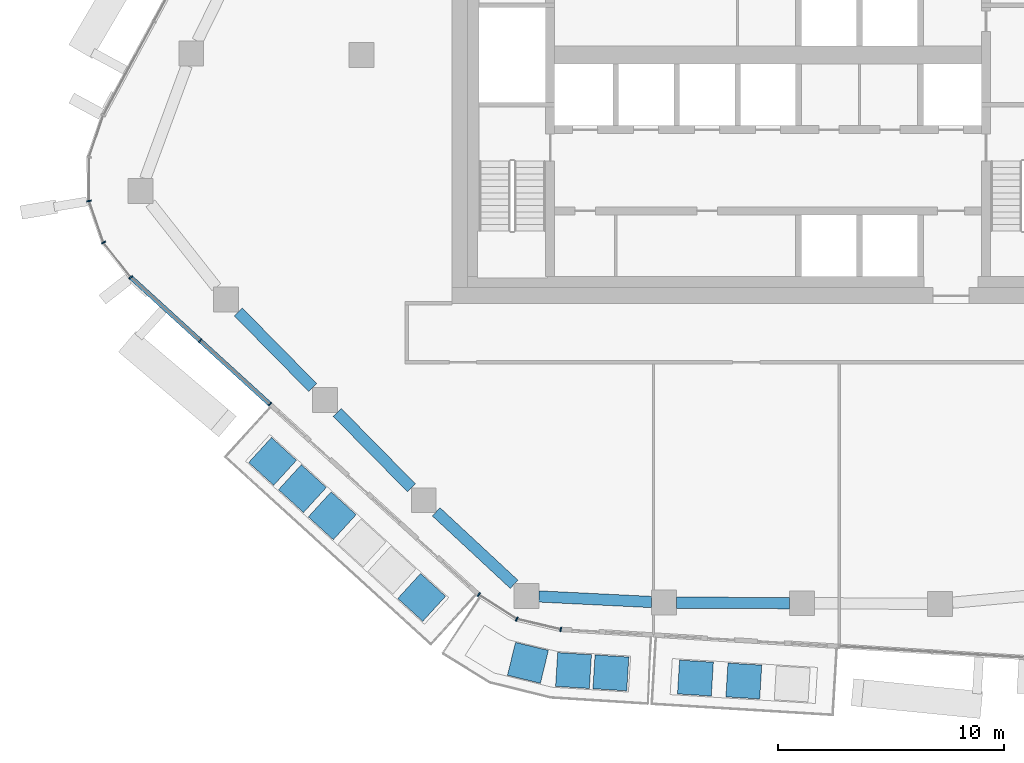
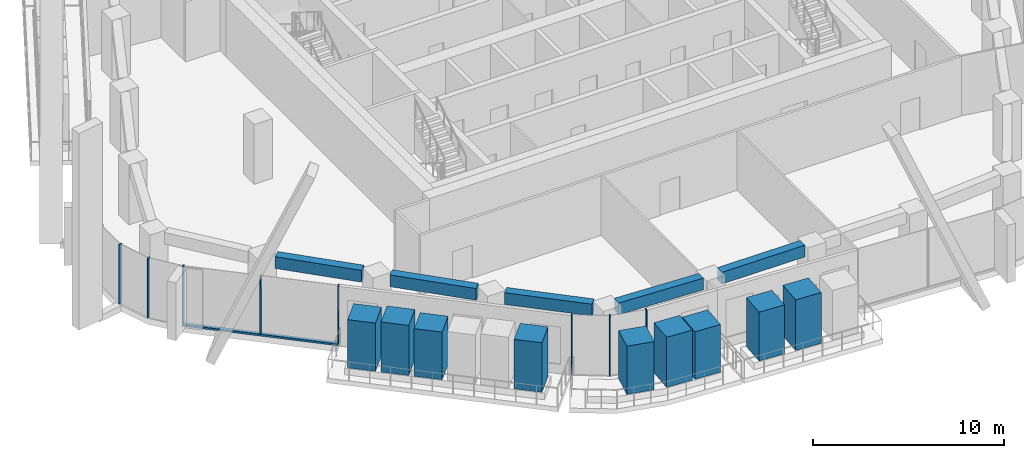
# One storey, part 2 of 20: 18 members, 5 beams, 3 elements without a shape of their own.
"""IFC4 building model written with IfcOpenShell, lengths in metres."""

from ifc_helpers import new_model, si_unit, direction, frame, origin, origin_2d, place, context, subcontext, project, spatial, rectangle, extrude, material, layer, layer_set, material_profile, profile_set, type_object, element, aggregate, save


model = new_model("IFC4")

# Units and contexts
model_context = context("Model", 3, precision=1e-05, world=origin(), true_north=direction((0.0, 1.0)))
body_context = subcontext(model_context, "Body", "Model", "MODEL_VIEW")
ifc_project = project(units=[si_unit("LENGTHUNIT", "METRE"), si_unit("AREAUNIT", "SQUARE_METRE"), si_unit("VOLUMEUNIT", "CUBIC_METRE"), si_unit("PLANEANGLEUNIT", "RADIAN"), si_unit("MASSUNIT", "GRAM", prefix="KILO")], contexts=[model_context])

# Site, building, storey
site_placement = place(None, origin())
site = spatial("IfcSite", under=ifc_project, at=site_placement, CompositionType="ELEMENT")
building_placement = place(site_placement, origin())
building = spatial("IfcBuilding", under=site, at=building_placement, Name="Dongbaek Canopy Tower", CompositionType="ELEMENT")
storey_placement = place(building_placement, frame((0.0, 0.0, 253.800048828125)))
storey = spatial("IfcBuildingStorey", under=building, at=storey_placement, Name="L53", CompositionType="ELEMENT", Elevation=253.800048828125)

# Curtain wall, members
ifc_material_1 = material(Name="Aluminium 6063-T6 pale anodised", Category="aluminium")
ifc_layer = layer(ifc_material_1, 0.199951171875)
ifc_layer_set = layer_set([ifc_layer], Name="CW-1 unitised tower curtain wall")
curtain_wall_type = type_object("IfcCurtainWallType", Name="CW-1 unitised tower curtain wall", PredefinedType="NOTDEFINED", material=ifc_layer_set)
curtain_wall_1_placement = place(storey_placement, origin())
curtain_wall_1 = element("IfcCurtainWall", 1, at=curtain_wall_1_placement, inside=storey, type_object=curtain_wall_type, Name="CW-1 curtain wall K3.1", PredefinedType="NOTDEFINED")
ifc_material_2 = material(Name="Aluminium 6063-T6 pale anodised", Category="aluminium")
ifc_material_profile_1 = material_profile(ifc_material_2, rectangle(XDim=0.199951171875, YDim=0.06005859375, at=origin_2d()), Name="CW-1 mullion 60 x 200")
ifc_profile_set_1 = profile_set([ifc_material_profile_1], Name="Aluminium 6063-T6 pale anodised")
member_type_1 = type_object("IfcMemberType", Name="CW-1 mullion 60 x 200", PredefinedType="MULLION", material=ifc_profile_set_1)
member_1_placement = place(storey_placement, frame((-30.06640625, -6.46337890625, 0.0), z_axis=(0.0, 0.0, 1.0), x_axis=(-0.985908083157, -0.167287930128, 0.0)))
member_1 = element("IfcMember", 2, at=member_1_placement, type_object=member_type_1, Name="CW-1 mullion K3.1.3", PredefinedType="MULLION", context=body_context, shape_type="SweptSolid", body=[
    extrude(rectangle(XDim=0.199951171875, YDim=0.06005859375, at=origin_2d()), origin(), (0.0, 0.0, 1.0), 3.820068359375),
])
member_2_placement = place(storey_placement, frame((-29.42822265625, -8.302978515625, 0.0), z_axis=(0.0, 0.0, 1.0), x_axis=(-0.877719725714, -0.479174376498, 0.0)))
member_2 = element("IfcMember", 3, at=member_2_placement, type_object=member_type_1, Name="CW-1 mullion K3.1.4", PredefinedType="MULLION", context=body_context, shape_type="SweptSolid", body=[
    extrude(rectangle(XDim=0.199951171875, YDim=0.06005859375, at=origin_2d()), origin(), (0.0, 0.0, 1.0), 3.820068359375),
])
member_3_placement = place(storey_placement, frame((-28.220703125, -9.84130859375, 0.0), z_axis=(0.0, 0.0, 1.0), x_axis=(-0.786588619061, -0.61747740393, 0.0)))
member_3 = element("IfcMember", 4, at=member_3_placement, type_object=member_type_1, Name="CW-1 mullion K3.1.5", PredefinedType="MULLION", context=body_context, shape_type="SweptSolid", body=[
    extrude(rectangle(XDim=0.199951171875, YDim=0.06005859375, at=origin_2d()), origin(), (0.0, 0.0, 1.0), 3.820068359375),
])
aggregate(curtain_wall_1, [member_1, member_2, member_3])

curtain_wall_2_placement = place(storey_placement, origin())
curtain_wall_2 = element("IfcCurtainWall", 5, at=curtain_wall_2_placement, inside=storey, type_object=curtain_wall_type, Name="CW-1 curtain wall F3.1", PredefinedType="NOTDEFINED")
member_4_placement = place(storey_placement, frame((-25.142822265625, -12.648681640625, 0.119873046875), z_axis=(0.0, 0.0, 1.0), x_axis=(-0.673879336739, -0.738841417028, 0.0)))
member_4 = element("IfcMember", 6, at=member_4_placement, type_object=member_type_1, Name="CW-1 mullion F3.1.2", PredefinedType="MULLION", context=body_context, shape_type="SweptSolid", body=[
    extrude(rectangle(XDim=0.199951171875, YDim=0.06005859375, at=origin_2d()), origin(), (0.0, 0.0, 1.0), 3.7001953125),
])
member_5_placement = place(storey_placement, frame((-22.058837890625, -15.46142578125, 0.119873046875), z_axis=(0.0, 0.0, 1.0), x_axis=(-0.673879336739, -0.738841417028, 0.0)))
member_5 = element("IfcMember", 7, at=member_5_placement, type_object=member_type_1, Name="CW-1 mullion F3.1.3", PredefinedType="MULLION", context=body_context, shape_type="SweptSolid", body=[
    extrude(rectangle(XDim=0.199951171875, YDim=0.06005859375, at=origin_2d()), origin(), (0.0, 0.0, 1.0), 3.7001953125),
])

curtain_wall_3_placement = place(storey_placement, origin())
curtain_wall_3 = element("IfcCurtainWall", 8, at=curtain_wall_3_placement, inside=storey, type_object=curtain_wall_type, Name="CW-1 curtain wall K4.1", PredefinedType="NOTDEFINED")
member_6_placement = place(storey_placement, frame((-12.81298828125, -23.894287109375, 0.0), z_axis=(0.0, 0.0, 1.0), x_axis=(-0.539447700061, -0.842019108393, 0.0)))
member_6 = element("IfcMember", 9, at=member_6_placement, type_object=member_type_1, Name="CW-1 mullion K4.1.1", PredefinedType="MULLION", context=body_context, shape_type="SweptSolid", body=[
    extrude(rectangle(XDim=0.199951171875, YDim=0.06005859375, at=origin_2d()), origin(), (0.0, 0.0, 1.0), 3.820068359375),
])
member_7_placement = place(storey_placement, frame((-11.12841796875, -24.9736328125, 0.0), z_axis=(0.0, 0.0, 1.0), x_axis=(-0.389524473551, -0.921016115225, 0.0)))
member_7 = element("IfcMember", 10, at=member_7_placement, type_object=member_type_1, Name="CW-1 mullion K4.1.2", PredefinedType="MULLION", context=body_context, shape_type="SweptSolid", body=[
    extrude(rectangle(XDim=0.199951171875, YDim=0.06005859375, at=origin_2d()), origin(), (0.0, 0.0, 1.0), 3.820068359375),
])
member_8_placement = place(storey_placement, frame((-9.1806640625, -25.430419921875, 0.0), z_axis=(0.0, 0.0, 1.0), x_axis=(-0.228415077607, -0.973563840907, 0.0)))
member_8 = element("IfcMember", 11, at=member_8_placement, type_object=member_type_1, Name="CW-1 mullion K4.1.3", PredefinedType="MULLION", context=body_context, shape_type="SweptSolid", body=[
    extrude(rectangle(XDim=0.199951171875, YDim=0.06005859375, at=origin_2d()), origin(), (0.0, 0.0, 1.0), 3.820068359375),
])
aggregate(curtain_wall_3, [member_6, member_7, member_8])

# Member
ifc_material_3 = material(Name="Aluminium 6063-T6 pale anodised", Category="aluminium")
ifc_material_profile_2 = material_profile(ifc_material_3, rectangle(XDim=0.199951171875, YDim=0.1201171875, at=origin_2d()), Name="CW-1 transom 120 x 200")
ifc_profile_set_2 = profile_set([ifc_material_profile_2], Name="Aluminium 6063-T6 pale anodised")
member_type_2 = type_object("IfcMemberType", Name="CW-1 transom 120 x 200", PredefinedType="USERDEFINED", material=ifc_profile_set_2)
member_9_placement = place(storey_placement, frame((-28.220703125, -9.84130859375, 0.06005859375), z_axis=(0.738839664482, -0.673881258226, 0.0), x_axis=(0.673881258226, 0.738839664482, 0.0)))
member_9 = element("IfcMember", 12, at=member_9_placement, type_object=member_type_2, Name="CW-1 transom F3.1.1", ObjectType="TRANSOM", PredefinedType="USERDEFINED", context=body_context, shape_type="SweptSolid", body=[
    extrude(rectangle(XDim=0.199951171875, YDim=0.1201171875, at=origin_2d()), origin(), (0.0, 0.0, 1.0), 8.33984375),
])

aggregate(curtain_wall_2, [member_4, member_5, member_9])

# Beams
ifc_material_4 = material(Name="Concrete C70", Category="concrete")
ifc_material_profile_3 = material_profile(ifc_material_4, rectangle(XDim=0.5, YDim=0.75, at=origin_2d()), Name="RC EDGE BEAM 500x750 C70")
ifc_profile_set_3 = profile_set([ifc_material_profile_3], Name="Concrete C70")
beam_type = type_object("IfcBeamType", Name="RC EDGE BEAM 500x750 C70", PredefinedType="BEAM", material=ifc_profile_set_3)
beam_1_placement = place(storey_placement, frame((0.951904296875, -24.269775390625, 3.445068359375), z_axis=(-0.999990816155, 0.0042857445, 0.0), x_axis=(-0.0042857445, -0.999990816155, 0.0)))
element("IfcBeam", 13, at=beam_1_placement, inside=storey, type_object=beam_type, Name="EDGEBEAM:L53:02", PredefinedType="BEAM", context=body_context, shape_type="SweptSolid", body=[
    extrude(rectangle(XDim=0.5, YDim=0.75, at=origin_2d()), origin(), (0.0, 0.0, 1.0), 5.012939453125),
])
beam_2_placement = place(storey_placement, frame((-5.160888671875, -24.218994140625, 3.445068359375), z_axis=(-0.998786614333, 0.049247325106, 0.0), x_axis=(-0.049247325106, -0.998786614333, 0.0)))
element("IfcBeam", 14, at=beam_2_placement, inside=storey, type_object=beam_type, Name="EDGEBEAM:L53:03", PredefinedType="BEAM", context=body_context, shape_type="SweptSolid", body=[
    extrude(rectangle(XDim=0.5, YDim=0.75, at=origin_2d()), origin(), (0.0, 0.0, 1.0), 4.9921875),
])
beam_3_placement = place(storey_placement, frame((-11.2470703125, -23.434326171875, 3.445068359375), z_axis=(-0.732241423494, 0.681045151014, 0.0), x_axis=(-0.681045151014, -0.732241423494, 0.0)))
element("IfcBeam", 15, at=beam_3_placement, inside=storey, type_object=beam_type, Name="EDGEBEAM:L53:04", PredefinedType="BEAM", context=body_context, shape_type="SweptSolid", body=[
    extrude(rectangle(XDim=0.5, YDim=0.75, at=origin_2d()), origin(), (0.0, 0.0, 1.0), 4.71142578125),
])
beam_4_placement = place(storey_placement, frame((-15.788818359375, -19.1640625, 3.445068359375), z_axis=(-0.701699383964, 0.712473139525, 0.0), x_axis=(-0.712473139525, -0.701699383964, 0.0)))
element("IfcBeam", 16, at=beam_4_placement, inside=storey, type_object=beam_type, Name="EDGEBEAM:L53:05", PredefinedType="BEAM", context=body_context, shape_type="SweptSolid", body=[
    extrude(rectangle(XDim=0.5, YDim=0.75, at=origin_2d()), origin(), (0.0, 0.0, 1.0), 4.690673828125),
])
beam_5_placement = place(storey_placement, frame((-20.16357421875, -14.721923828125, 3.445068359375), z_axis=(-0.701621732034, 0.712549608896, 0.0), x_axis=(-0.712549608896, -0.701621732034, 0.0)))
element("IfcBeam", 17, at=beam_5_placement, inside=storey, type_object=beam_type, Name="EDGEBEAM:L53:06", PredefinedType="BEAM", context=body_context, shape_type="SweptSolid", body=[
    extrude(rectangle(XDim=0.5, YDim=0.75, at=origin_2d()), origin(), (0.0, 0.0, 1.0), 4.691650390625),
])

# Members
ifc_material_5 = material(Name="Concrete C40/50 planter mass with planting", Category="concrete")
ifc_material_profile_4 = material_profile(ifc_material_5, rectangle(XDim=1.5, YDim=1.5, at=origin_2d()), Name="Terrace PLANTER shrub mass 1500 x 1500")
ifc_profile_set_4 = profile_set([ifc_material_profile_4], Name="Concrete C40/50 planter mass with planting")
member_type_3 = type_object("IfcMemberType", Name="Terrace PLANTER shrub mass 1500 x 1500", PredefinedType="USERDEFINED", material=ifc_profile_set_4)
member_10_placement = place(storey_placement, frame((-21.93994140625, -17.99267578125, 0.419921875), z_axis=(0.0, 0.0, 1.0), x_axis=(-0.673879336739, -0.738841417028, 0.0)))
element("IfcMember", 18, at=member_10_placement, inside=storey, type_object=member_type_3, Name="Planter shrubs L53 3.1", ObjectType="PLANTER", PredefinedType="USERDEFINED", context=body_context, shape_type="SweptSolid", body=[
    extrude(rectangle(XDim=1.5, YDim=1.5, at=origin_2d()), origin(), (0.0, 0.0, 1.0), 3.090087890625),
])
member_11_placement = place(storey_placement, frame((-20.61962890625, -19.19677734375, 0.419921875), z_axis=(0.0, 0.0, 1.0), x_axis=(-0.673879336739, -0.738841417028, 0.0)))
element("IfcMember", 19, at=member_11_placement, inside=storey, type_object=member_type_3, Name="Planter shrubs L53 3.2", ObjectType="PLANTER", PredefinedType="USERDEFINED", context=body_context, shape_type="SweptSolid", body=[
    extrude(rectangle(XDim=1.5, YDim=1.5, at=origin_2d()), origin(), (0.0, 0.0, 1.0), 3.2099609375),
])
member_12_placement = place(storey_placement, frame((-19.299072265625, -20.401123046875, 0.419921875), z_axis=(0.0, 0.0, 1.0), x_axis=(-0.673879336739, -0.738841417028, 0.0)))
element("IfcMember", 20, at=member_12_placement, inside=storey, type_object=member_type_3, Name="Planter shrubs L53 3.3", ObjectType="PLANTER", PredefinedType="USERDEFINED", context=body_context, shape_type="SweptSolid", body=[
    extrude(rectangle(XDim=1.5, YDim=1.5, at=origin_2d()), origin(), (0.0, 0.0, 1.0), 3.050048828125),
])
member_13_placement = place(storey_placement, frame((-15.338134765625, -24.013916015625, 0.419921875), z_axis=(0.0, 0.0, 1.0), x_axis=(-0.673879336739, -0.738841417028, 0.0)))
element("IfcMember", 21, at=member_13_placement, inside=storey, type_object=member_type_3, Name="Planter shrubs L53 3.6", ObjectType="PLANTER", PredefinedType="USERDEFINED", context=body_context, shape_type="SweptSolid", body=[
    extrude(rectangle(XDim=1.5, YDim=1.5, at=origin_2d()), origin(), (0.0, 0.0, 1.0), 3.169921875),
])
member_14_placement = place(storey_placement, frame((-3.21630859375, -27.586669921875, 0.419921875), z_axis=(0.0, 0.0, 1.0), x_axis=(-0.060746171441, -0.998153246078, 0.0)))
element("IfcMember", 22, at=member_14_placement, inside=storey, type_object=member_type_3, Name="Planter shrubs L53 4.1", ObjectType="PLANTER", PredefinedType="USERDEFINED", context=body_context, shape_type="SweptSolid", body=[
    extrude(rectangle(XDim=1.5, YDim=1.5, at=origin_2d()), origin(), (0.0, 0.0, 1.0), 3.130126953125),
])
member_15_placement = place(storey_placement, frame((-1.07373046875, -27.71728515625, 0.419921875), z_axis=(0.0, 0.0, 1.0), x_axis=(-0.060746171441, -0.998153246078, 0.0)))
element("IfcMember", 23, at=member_15_placement, inside=storey, type_object=member_type_3, Name="Planter shrubs L53 4.2", ObjectType="PLANTER", PredefinedType="USERDEFINED", context=body_context, shape_type="SweptSolid", body=[
    extrude(rectangle(XDim=1.5, YDim=1.5, at=origin_2d()), origin(), (0.0, 0.0, 1.0), 3.25),
])
member_16_placement = place(storey_placement, frame((-10.63330078125, -26.91259765625, 0.419921875), z_axis=(0.0, 0.0, 1.0), x_axis=(-0.235622231072, -0.971844722281, 0.0)))
element("IfcMember", 24, at=member_16_placement, inside=storey, type_object=member_type_3, Name="Planter shrubs L53 7.1", ObjectType="PLANTER", PredefinedType="USERDEFINED", context=body_context, shape_type="SweptSolid", body=[
    extrude(rectangle(XDim=1.5, YDim=1.5, at=origin_2d()), origin(), (0.0, 0.0, 1.0), 3.090087890625),
])
member_17_placement = place(storey_placement, frame((-8.614013671875, -27.253662109375, 0.419921875), z_axis=(0.0, 0.0, 1.0), x_axis=(-0.062577164693, -0.998040128682, 0.0)))
element("IfcMember", 25, at=member_17_placement, inside=storey, type_object=member_type_3, Name="Planter shrubs L53 7.2", ObjectType="PLANTER", PredefinedType="USERDEFINED", context=body_context, shape_type="SweptSolid", body=[
    extrude(rectangle(XDim=1.5, YDim=1.5, at=origin_2d()), origin(), (0.0, 0.0, 1.0), 3.2099609375),
])
member_18_placement = place(storey_placement, frame((-6.960693359375, -27.357421875, 0.419921875), z_axis=(0.0, 0.0, 1.0), x_axis=(-0.062577164693, -0.998040128682, 0.0)))
element("IfcMember", 26, at=member_18_placement, inside=storey, type_object=member_type_3, Name="Planter shrubs L53 7.3", ObjectType="PLANTER", PredefinedType="USERDEFINED", context=body_context, shape_type="SweptSolid", body=[
    extrude(rectangle(XDim=1.5, YDim=1.5, at=origin_2d()), origin(), (0.0, 0.0, 1.0), 3.050048828125),
])

save(model, "model.ifc")
